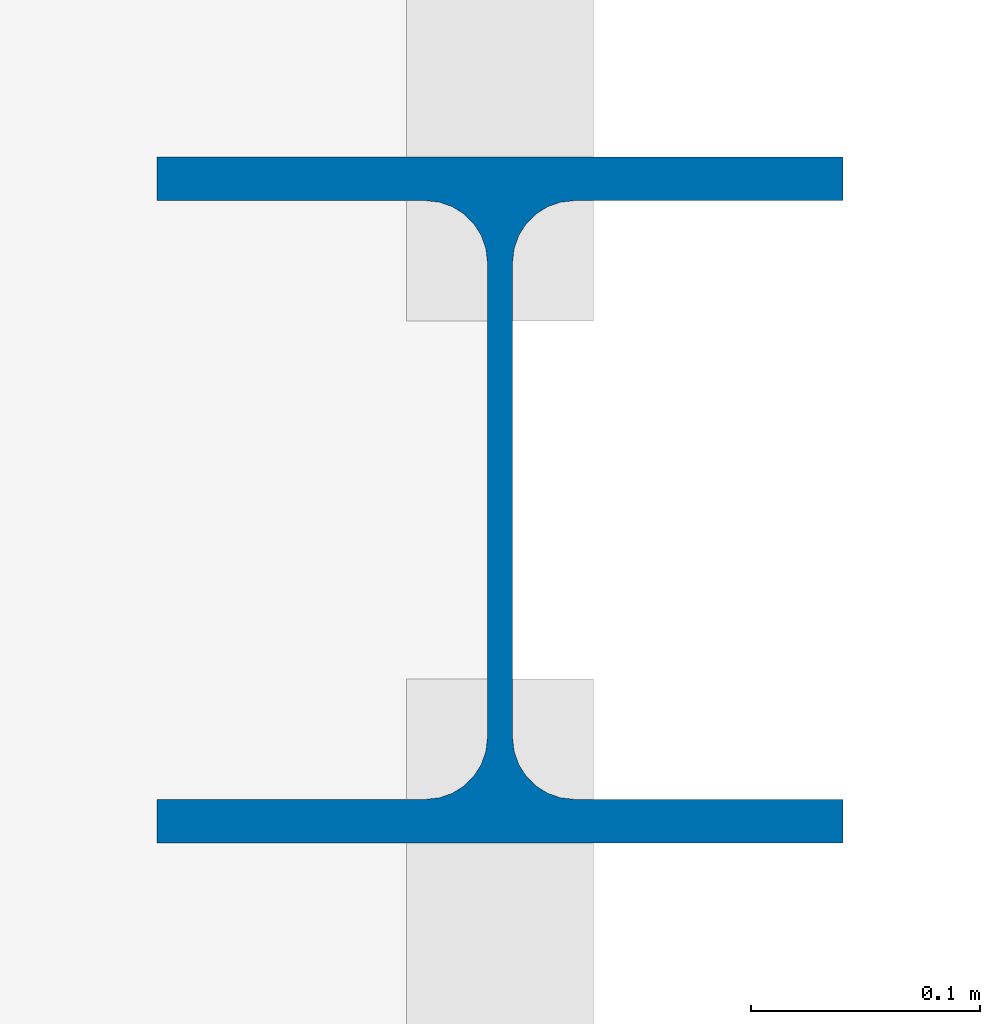
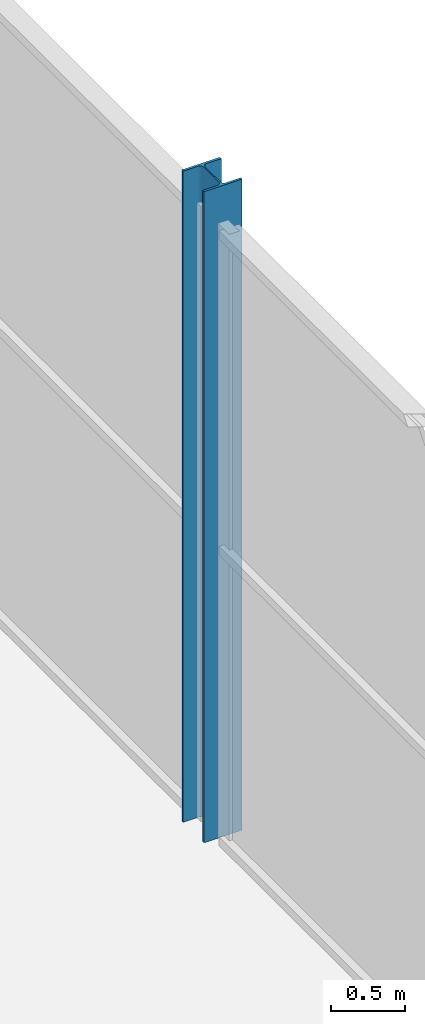
# One storey, part 4 of 86: 1 column.
"""IFC4 building model written with IfcOpenShell, lengths in metres."""

from ifc_helpers import new_model, si_unit, direction, frame, origin, origin_2d, place, context, subcontext, project, spatial, i_section, extrude, material, material_profile, profile_set, type_object, element, save


model = new_model("IFC4")

# Units and contexts
model_context = context("Model", 3, precision=1e-05, world=origin(), true_north=direction((0.0, 1.0)))
body_context = subcontext(model_context, "Body", "Model", "MODEL_VIEW")
ifc_project = project(units=[si_unit("LENGTHUNIT", "METRE"), si_unit("AREAUNIT", "SQUARE_METRE"), si_unit("VOLUMEUNIT", "CUBIC_METRE"), si_unit("PLANEANGLEUNIT", "RADIAN"), si_unit("MASSUNIT", "GRAM", prefix="KILO")], contexts=[model_context])

# Site, building, storey
site_placement = place(None, origin())
site = spatial("IfcSite", under=ifc_project, at=site_placement, CompositionType="ELEMENT")
building_placement = place(site_placement, origin())
building = spatial("IfcBuilding", under=site, at=building_placement, Name="Kenh Van Central Station", CompositionType="ELEMENT")
storey_placement = place(building_placement, origin())
storey = spatial("IfcBuildingStorey", under=building, at=storey_placement, Name="L00", CompositionType="ELEMENT", Elevation=0.0)

# Column
ifc_material = material(Name="Steel S355", Category="steel")
ifc_material_profile = material_profile(ifc_material, i_section(OverallWidth=0.300048828125, OverallDepth=0.300048828125, WebThickness=0.010986328125, FlangeThickness=0.01904296875, FilletRadius=0.027099609375, at=origin_2d()), Name="HEB 300")
ifc_profile_set = profile_set([ifc_material_profile], Name="Steel S355")
column_type = type_object("IfcColumnType", Name="COL-STL-HEB300", PredefinedType="COLUMN", material=ifc_profile_set)
column_placement = place(storey_placement, frame((56.0, 48.0, 0.0), z_axis=(0.0, 0.0, 1.0), x_axis=(1.0, 0.0, 0.0)))
element("IfcColumn", 1, at=column_placement, inside=storey, type_object=column_type, Name="L00 column CL-056-048", PredefinedType="COLUMN", context=body_context, shape_type="SweptSolid", body=[
    extrude(i_section(OverallWidth=0.300048828125, OverallDepth=0.300048828125, WebThickness=0.010986328125, FlangeThickness=0.01904296875, FilletRadius=0.027099609375, at=origin_2d()), origin(), (0.0, 0.0, 1.0), 5.39990234375),
])

save(model, "model.ifc")
